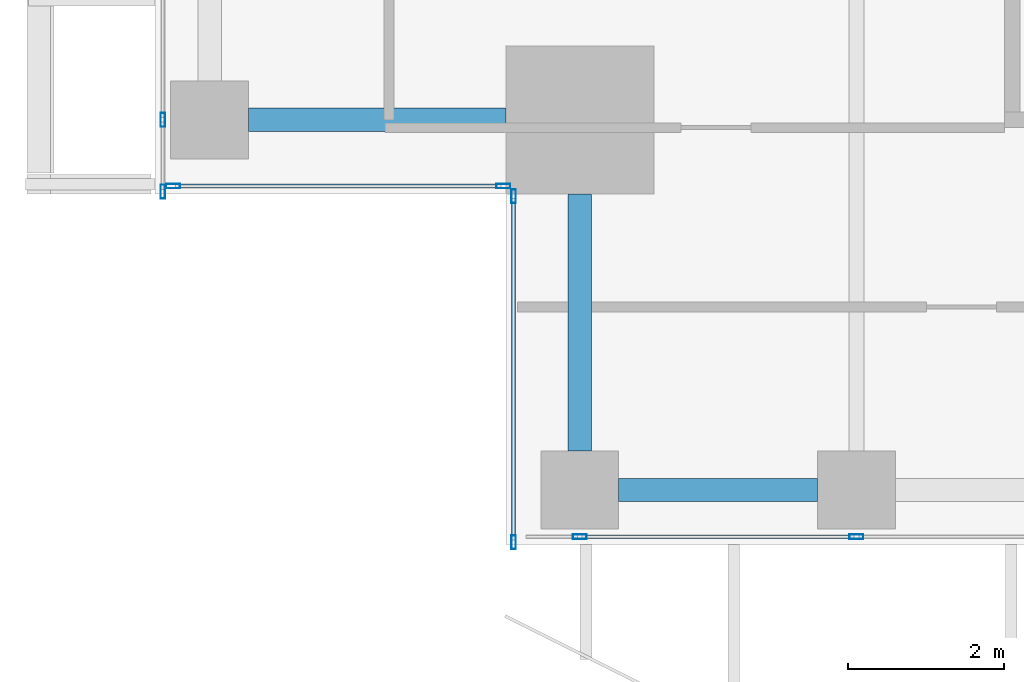
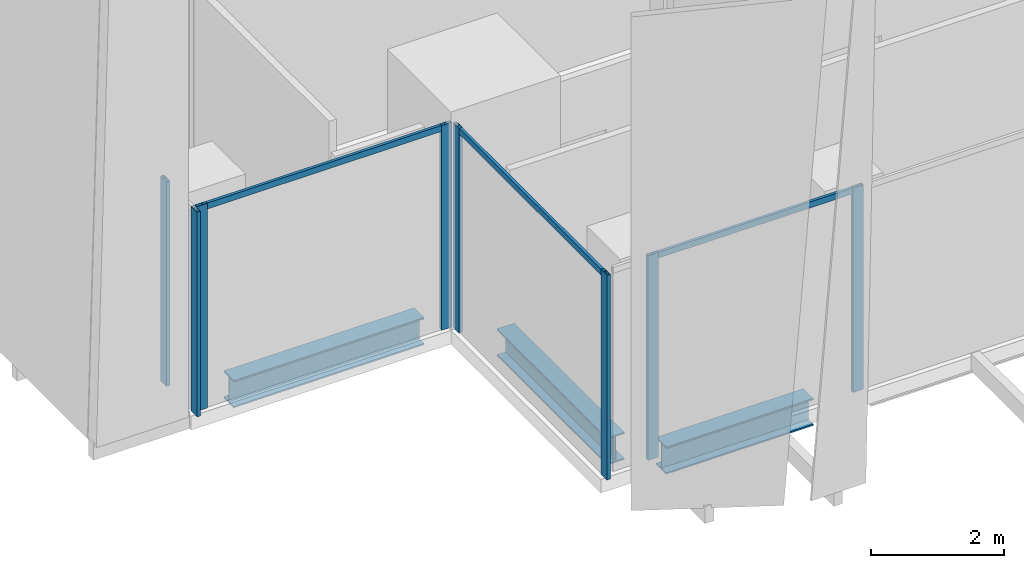
# One storey, part 2 of 35: 11 members, 3 beams, 4 elements without a shape of their own.
"""IFC4 building model written with IfcOpenShell, lengths in metres."""

import ifcopenshell
import ifcopenshell.guid

model = None  # the IFC model being written
_history = None  # IfcOwnerHistory: only IFC2X3 demands one
_inside = {}  # id of a spatial element -> (the spatial element, [elements in it])
_under = {}  # id of a project, library or spatial element -> (it, [spatial elements below it])
_declared = {}  # id of a project -> (the project, [libraries it declares])
_typed = {}  # id of a type object -> (the type object, [elements of that type])
_made_of = {}  # id of a material, layer set ... -> (it, [elements and type objects made of it])


def new_model(schema):
    """Start an empty IFC model of exactly this schema.

    Asked for "IFC4X3", IfcOpenShell would pick the latest addendum, in which some entities
    have other attributes; the version numbers below select the first issue.
    IFC2X3 requires an IfcOwnerHistory on every rooted entity: one is made here for all.
    """
    global model, _history
    if schema == "IFC4X3":
        model = ifcopenshell.file(schema_version=(4, 3, 0, 0))
    else:
        model = ifcopenshell.file(schema=schema)
    _inside.clear()
    _under.clear()
    _declared.clear()
    _typed.clear()
    _made_of.clear()
    _history = None
    if model.schema == "IFC2X3":
        org = make("IfcOrganization", Name="unknown")
        user = make(
            "IfcPersonAndOrganization",
            ThePerson=make("IfcPerson", FamilyName="unknown"),
            TheOrganization=org,
        )
        app = make(
            "IfcApplication",
            ApplicationDeveloper=org,
            Version="unknown",
            ApplicationFullName="unknown",
            ApplicationIdentifier="unknown",
        )
        _history = make(
            "IfcOwnerHistory",
            OwningUser=user,
            OwningApplication=app,
            ChangeAction="ADDED",
            CreationDate=0,
        )
    return model


def make(cls, **values):
    """One entity of the class cls with the attributes given. An attribute that is None is left unset."""
    return model.create_entity(
        cls, **{name: value for name, value in values.items() if value is not None}
    )


def rooted(cls, **values):
    """An entity with a GlobalId (a new one), such as an element, a storey or a relation."""
    return make(cls, GlobalId=ifcopenshell.guid.new(), OwnerHistory=_history, **values)


def si_unit(unit_type, name, prefix=None):
    """IfcSIUnit, for example si_unit("LENGTHUNIT", "METRE", prefix="MILLI")."""
    return make("IfcSIUnit", UnitType=unit_type, Prefix=prefix, Name=name)


def assignment(units):
    """IfcUnitAssignment: the units of a project."""
    return None if units is None else make("IfcUnitAssignment", Units=units)


def point(xyz):
    """IfcCartesianPoint."""
    return None if xyz is None else make("IfcCartesianPoint", Coordinates=xyz)


def direction(xyz):
    """IfcDirection."""
    return None if xyz is None else make("IfcDirection", DirectionRatios=xyz)


def frame(location, z_axis=None, x_axis=None):
    """IfcAxis2Placement3D, a coordinate frame: its origin and axes. An axis left out is left unset."""
    return make(
        "IfcAxis2Placement3D",
        Location=point(location),
        Axis=direction(z_axis),
        RefDirection=direction(x_axis),
    )


def frame_2d(location, x_axis=None):
    """IfcAxis2Placement2D, a coordinate frame in the plane: its origin and x axis."""
    return make(
        "IfcAxis2Placement2D", Location=point(location), RefDirection=direction(x_axis)
    )


def origin():
    """The frame at (0, 0, 0) with its axes left unset."""
    return frame((0.0, 0.0, 0.0))


def origin_2d():
    """The frame at (0, 0) in the plane with its x axis left unset."""
    return frame_2d((0.0, 0.0))


def place(relative_to, where):
    """IfcLocalPlacement: puts the frame where relative to a parent placement (None: the world)."""
    return make(
        "IfcLocalPlacement", PlacementRelTo=relative_to, RelativePlacement=where
    )


def context(
    kind, dimensions, precision=None, world=None, true_north=None, identifier=None
):
    """IfcGeometricRepresentationContext, for example the 3D "Model" context."""
    return make(
        "IfcGeometricRepresentationContext",
        ContextIdentifier=identifier,
        ContextType=kind,
        CoordinateSpaceDimension=dimensions,
        Precision=precision,
        WorldCoordinateSystem=world,
        TrueNorth=true_north,
    )


def subcontext(parent, identifier, kind, view, scale=None):
    """IfcGeometricRepresentationSubContext, for example "Body" below "Model"."""
    return make(
        "IfcGeometricRepresentationSubContext",
        ContextIdentifier=identifier,
        ContextType=kind,
        ParentContext=parent,
        TargetScale=scale,
        TargetView=view,
    )


def project(units=None, contexts=None):
    """IfcProject with its units and contexts."""
    return rooted(
        "IfcProject",
        Name="project",
        RepresentationContexts=contexts,
        UnitsInContext=assignment(units),
    )


def spatial(cls, under=None, at=None, **own):
    """A site, building, storey or space (cls), placed at a placement, below another one or the project."""
    s = rooted(cls, ObjectPlacement=at, **own)
    if under is not None:
        _under.setdefault(under.id(), (under, []))[1].append(s)
    return s


def profile(cls, at=None, kind="AREA", **sizes):
    """A parametric profile (cls). Its sizes go by their IFC names, for example OverallWidth=200.0."""
    return make(cls, ProfileType=kind, Position=at, **sizes)


def hollow_rectangle(**sizes):
    """IfcRectangleHollowProfileDef."""
    return profile("IfcRectangleHollowProfileDef", **sizes)


def i_section(**sizes):
    """IfcIShapeProfileDef."""
    return profile("IfcIShapeProfileDef", **sizes)


def extrude(swept, where, along, depth):
    """IfcExtrudedAreaSolid: the profile swept, set in the frame where, extruded along a direction by depth."""
    return make(
        "IfcExtrudedAreaSolid",
        SweptArea=swept,
        Position=where,
        ExtrudedDirection=direction(along),
        Depth=depth,
    )


def shape(context_of_items, identifier, shape_type, items):
    """IfcShapeRepresentation: the items that make up one representation, for example the "Body"."""
    return make(
        "IfcShapeRepresentation",
        ContextOfItems=context_of_items,
        RepresentationIdentifier=identifier,
        RepresentationType=shape_type,
        Items=items,
    )


def source(mapping_origin, context_of_items, identifier, shape_type, items):
    """IfcRepresentationMap: a shape defined once, which mapped items show again and again."""
    return make(
        "IfcRepresentationMap",
        MappingOrigin=mapping_origin,
        MappedRepresentation=shape(context_of_items, identifier, shape_type, items),
    )


def transform(
    local_origin,
    x_axis=None,
    y_axis=None,
    z_axis=None,
    scale=None,
    scale2=None,
    scale3=None,
    uniform=True,
):
    """IfcCartesianTransformationOperator3D, or its non-uniform kind. x_axis, y_axis, z_axis: its Axis1, 2, 3."""
    if uniform:
        return make(
            "IfcCartesianTransformationOperator3D",
            Axis1=direction(x_axis),
            Axis2=direction(y_axis),
            LocalOrigin=point(local_origin),
            Scale=scale,
            Axis3=direction(z_axis),
        )
    return make(
        "IfcCartesianTransformationOperator3DnonUniform",
        Axis1=direction(x_axis),
        Axis2=direction(y_axis),
        LocalOrigin=point(local_origin),
        Scale=scale,
        Axis3=direction(z_axis),
        Scale2=scale2,
        Scale3=scale3,
    )


def mapped(mapping_source, mapping_target):
    """IfcMappedItem: shows the shape of a source again, moved by a transform."""
    return make(
        "IfcMappedItem", MappingSource=mapping_source, MappingTarget=mapping_target
    )


def material(Name=None, Category=None):
    """IfcMaterial."""
    return make("IfcMaterial", Name=Name, Category=Category)


def material_profile(
    of_material, cross_section, Name=None, Category=None, Priority=None
):
    """IfcMaterialProfile: a cross section and its material."""
    return make(
        "IfcMaterialProfile",
        Name=Name,
        Material=of_material,
        Profile=cross_section,
        Priority=Priority,
        Category=Category,
    )


def profile_set(profiles, Name=None, composite=None):
    """IfcMaterialProfileSet."""
    return make(
        "IfcMaterialProfileSet",
        Name=Name,
        MaterialProfiles=profiles,
        CompositeProfile=composite,
    )


def made_of(thing, what):
    """Note that an element or type object is made of a material, layer set ...; save() writes the relation."""
    if what is not None:
        _made_of.setdefault(what.id(), (what, []))[1].append(thing)
    return thing


def type_object(cls, material=None, **own):
    """A type object (cls), such as IfcWallType, which elements share."""
    return made_of(rooted(cls, **own), material)


def element(
    cls,
    number,
    at=None,
    inside=None,
    cuts=None,
    type_object=None,
    material=None,
    context=None,
    identifier="Body",
    shape_type=None,
    held_by="IfcProductDefinitionShape",
    body=None,
    shapes=None,
    **own,
):
    """One element of the class cls, such as IfcWall. Its Tag is "e" and its number.

    at: its placement. inside: the storey or other place that contains it. cuts: it is an
    opening in that element (IfcRelVoidsElement). A single representation is given by context,
    identifier, shape_type and body (its items); several are given by shapes. held_by: the class
    of the entity that holds the representations. save() writes the other relations.
    """
    e = rooted(cls, Tag="e%d" % number, ObjectPlacement=at, **own)
    if body is not None:
        shapes = [shape(context, identifier, shape_type, body)]
    if shapes is not None:
        e.Representation = make(held_by, Representations=shapes)
    if inside is not None:
        _inside.setdefault(inside.id(), (inside, []))[1].append(e)
    if cuts is not None:
        rooted(
            "IfcRelVoidsElement", RelatingBuildingElement=cuts, RelatedOpeningElement=e
        )
    if type_object is not None:
        _typed.setdefault(type_object.id(), (type_object, []))[1].append(e)
    return made_of(e, material)


def aggregate(whole, parts):
    """IfcRelAggregates: a whole, such as a stair, and the parts it consists of."""
    return rooted("IfcRelAggregates", RelatingObject=whole, RelatedObjects=parts)


def save(model, path):
    """Write the relations noted so far, then the file.

    IfcRelAggregates (storeys below a building ...), IfcRelContainedInSpatialStructure (elements
    in a storey), IfcRelDefinesByType, IfcRelAssociatesMaterial and IfcRelDeclares: one each for
    every whole, place, type object, material and project.
    """
    for whole, parts in _under.values():
        aggregate(whole, parts)
    for where, things in _inside.values():
        rooted(
            "IfcRelContainedInSpatialStructure",
            RelatedElements=things,
            RelatingStructure=where,
        )
    for kind, things in _typed.values():
        rooted("IfcRelDefinesByType", RelatedObjects=things, RelatingType=kind)
    for what, things in _made_of.values():
        rooted("IfcRelAssociatesMaterial", RelatedObjects=things, RelatingMaterial=what)
    for by, libraries in _declared.values():
        rooted("IfcRelDeclares", RelatingContext=by, RelatedDefinitions=libraries)
    model.write(path)


model = new_model("IFC4")

# Units and contexts
model_context = context("Model", 3, precision=1e-05, world=origin(), true_north=direction((0.0, 1.0)))
body_context = subcontext(model_context, "Body", "Model", "MODEL_VIEW")
ifc_project = project(units=[si_unit("LENGTHUNIT", "METRE"), si_unit("AREAUNIT", "SQUARE_METRE"), si_unit("VOLUMEUNIT", "CUBIC_METRE"), si_unit("PLANEANGLEUNIT", "RADIAN"), si_unit("MASSUNIT", "GRAM", prefix="KILO")], contexts=[model_context])

# Site, building, storey
site_placement = place(None, origin())
site = spatial("IfcSite", under=ifc_project, at=site_placement, CompositionType="ELEMENT")
building_placement = place(site_placement, origin())
building = spatial("IfcBuilding", under=site, at=building_placement, Name="Khomas Fold Tower", CompositionType="ELEMENT")
storey_placement = place(building_placement, frame((0.0, 0.0, 200.699951171875)))
storey = spatial("IfcBuildingStorey", under=building, at=storey_placement, Name="L44", CompositionType="ELEMENT", Elevation=200.699951171875)

# Beams
ifc_material_1 = material(Name="Steel S355", Category="steel")
ifc_material_profile_1 = material_profile(ifc_material_1, i_section(OverallWidth=0.300048828125, OverallDepth=0.5, WebThickness=0.014404296875, FlangeThickness=0.028076171875, at=origin_2d()), Name="HE 500 B")
ifc_profile_set_1 = profile_set([ifc_material_profile_1], Name="Steel S355")
beam_type = type_object("IfcBeamType", Name="HE 500 B spandrel SB3", PredefinedType="SPANDREL", material=ifc_profile_set_1)
shared_shape_1 = source(origin(), body_context, "Body", "SweptSolid", [
    extrude(i_section(OverallWidth=0.300048828125, OverallDepth=0.5, WebThickness=0.014404296875, FlangeThickness=0.028076171875, at=origin_2d()), origin(), (0.0, 0.0, 1.0), 2.550048828125),
])
beam_placement = place(storey_placement, frame((8.949951171875, 3.699951171875, -0.5), z_axis=(1.0, 0.0, 0.0), x_axis=(0.0, 1.0, 0.0)))
element("IfcBeam", 1, at=beam_placement, inside=storey, type_object=beam_type, Name="SB3", PredefinedType="SPANDREL", context=body_context, shape_type="MappedRepresentation", body=[
    mapped(shared_shape_1, transform((0.0, 0.0, 0.0))),
])
shared_shape_2 = source(origin(), body_context, "Body", "SweptSolid", [
    extrude(i_section(OverallWidth=0.300048828125, OverallDepth=0.5, WebThickness=0.014404296875, FlangeThickness=0.028076171875, at=origin_2d()), origin(), (0.0, 0.0, 1.0), 3.300048828125),
])
for number, where, z_axis, x_axis, name in (
    (2, (4.199951171875, 8.449951171875, -0.5), (1.0, 0.0, 0.0), (0.0, 1.0, 0.0), "SB3"),
    (3, (8.449951171875, 4.199951171875, -0.5), (0.0, 1.0, 0.0), (-1.0, 0.0, 0.0), "SB3"),
):
    element("IfcBeam", number, at=place(storey_placement, frame(where, z_axis=z_axis, x_axis=x_axis)), inside=storey, type_object=beam_type, Name=name, PredefinedType="SPANDREL", context=body_context, shape_type="MappedRepresentation", body=[
        mapped(shared_shape_2, transform((0.0, 0.0, 0.0))),
    ])

# Curtain wall, members
ifc_material_2 = material(Name="Aluminium framed double glazing", Category="aluminium")
curtain_wall_type = type_object("IfcCurtainWallType", Name="SK-Unitised clear-glass wall, office floors CW2", PredefinedType="NOTDEFINED", material=ifc_material_2)
curtain_wall_1_placement = place(storey_placement, origin())
curtain_wall_1 = element("IfcCurtainWall", 4, at=curtain_wall_1_placement, inside=storey, type_object=curtain_wall_type, Name="CW2 run L44 00-0", PredefinedType="NOTDEFINED")
ifc_material_3 = material(Name="Aluminium", Category="aluminium")
ifc_material_profile_2 = material_profile(ifc_material_3, hollow_rectangle(XDim=0.06005859375, YDim=0.179931640625, WallThickness=0.00390625, at=origin_2d()), Name="SK-Unitised clear-glass wall, office floors mullion CW2-M")
ifc_profile_set_2 = profile_set([ifc_material_profile_2], Name="Aluminium")
member_type_1 = type_object("IfcMemberType", Name="SK-Unitised clear-glass wall, office floors mullion CW2-M", PredefinedType="MULLION", material=ifc_profile_set_2)
shared_shape_3 = source(origin(), body_context, "Body", "SweptSolid", [
    extrude(hollow_rectangle(XDim=0.06005859375, YDim=0.179931640625, WallThickness=0.00390625, at=origin_2d()), origin(), (0.0, 0.0, 1.0), 3.75),
])
member_1_placement = place(storey_placement, frame((8.449951171875, 3.10009765625, 0.0), z_axis=(0.0, 0.0, 1.0), x_axis=(0.0, 1.0, 0.0)))
member_1 = element("IfcMember", 5, at=member_1_placement, type_object=member_type_1, Name="CW2 mullion 2", PredefinedType="MULLION", context=body_context, shape_type="MappedRepresentation", body=[
    mapped(shared_shape_3, transform((0.0, 0.0, 0.0))),
])
member_2_placement = place(storey_placement, frame((12.0, 3.10009765625, 0.0), z_axis=(0.0, 0.0, 1.0), x_axis=(0.0, 1.0, 0.0)))
member_2 = element("IfcMember", 6, at=member_2_placement, type_object=member_type_1, Name="CW2 mullion 3", PredefinedType="MULLION", context=body_context, shape_type="MappedRepresentation", body=[
    mapped(shared_shape_3, transform((0.0, 0.0, 0.0))),
])

curtain_wall_2_placement = place(storey_placement, origin())
curtain_wall_2 = element("IfcCurtainWall", 7, at=curtain_wall_2_placement, inside=storey, type_object=curtain_wall_type, Name="CW2 run L44 09-0", PredefinedType="NOTDEFINED")
member_3_placement = place(storey_placement, frame((3.10009765625, 8.449951171875, 0.0), z_axis=(0.0, 0.0, 1.0), x_axis=(1.0, 0.0, 0.0)))
member_3 = element("IfcMember", 8, at=member_3_placement, type_object=member_type_1, Name="CW2 mullion 8", PredefinedType="MULLION", context=body_context, shape_type="MappedRepresentation", body=[
    mapped(shared_shape_3, transform((0.0, 0.0, 0.0))),
])
member_4_placement = place(storey_placement, frame((3.10009765625, 7.530029296875, 0.0), z_axis=(0.0, 0.0, 1.0), x_axis=(1.0, 0.0, 0.0)))
member_4 = element("IfcMember", 9, at=member_4_placement, type_object=member_type_1, Name="CW2 mullion 9", PredefinedType="MULLION", context=body_context, shape_type="MappedRepresentation", body=[
    mapped(shared_shape_3, transform((0.0, 0.0, 0.0))),
])
aggregate(curtain_wall_2, [member_3, member_4])

curtain_wall_3_placement = place(storey_placement, origin())
curtain_wall_3 = element("IfcCurtainWall", 10, at=curtain_wall_3_placement, inside=storey, type_object=curtain_wall_type, Name="CW2 corner return L44 10", PredefinedType="NOTDEFINED")
member_5_placement = place(storey_placement, frame((3.22998046875, 7.60009765625, 0.0), z_axis=(0.0, 0.0, 1.0), x_axis=(0.0, 1.0, 0.0)))
member_5 = element("IfcMember", 11, at=member_5_placement, type_object=member_type_1, Name="CW2 mullion 1", PredefinedType="MULLION", context=body_context, shape_type="MappedRepresentation", body=[
    mapped(shared_shape_3, transform((0.0, 0.0, 0.0))),
])
member_6_placement = place(storey_placement, frame((7.469970703125, 7.60009765625, 0.0), z_axis=(0.0, 0.0, 1.0), x_axis=(0.0, 1.0, 0.0)))
member_6 = element("IfcMember", 12, at=member_6_placement, type_object=member_type_1, Name="CW2 mullion 2", PredefinedType="MULLION", context=body_context, shape_type="MappedRepresentation", body=[
    mapped(shared_shape_3, transform((0.0, 0.0, 0.0))),
])

curtain_wall_4_placement = place(storey_placement, origin())
curtain_wall_4 = element("IfcCurtainWall", 13, at=curtain_wall_4_placement, inside=storey, type_object=curtain_wall_type, Name="CW2 corner return L44 11", PredefinedType="NOTDEFINED")
member_7_placement = place(storey_placement, frame((7.60009765625, 7.469970703125, 0.0), z_axis=(0.0, 0.0, 1.0), x_axis=(1.0, 0.0, 0.0)))
member_7 = element("IfcMember", 14, at=member_7_placement, type_object=member_type_1, Name="CW2 mullion 1", PredefinedType="MULLION", context=body_context, shape_type="MappedRepresentation", body=[
    mapped(shared_shape_3, transform((0.0, 0.0, 0.0))),
])
member_8_placement = place(storey_placement, frame((7.60009765625, 3.030029296875, 0.0), z_axis=(0.0, 0.0, 1.0), x_axis=(1.0, 0.0, 0.0)))
member_8 = element("IfcMember", 15, at=member_8_placement, type_object=member_type_1, Name="CW2 mullion 2", PredefinedType="MULLION", context=body_context, shape_type="MappedRepresentation", body=[
    mapped(shared_shape_3, transform((0.0, 0.0, 0.0))),
])
ifc_material_4 = material(Name="Aluminium", Category="aluminium")
ifc_material_profile_3 = material_profile(ifc_material_4, hollow_rectangle(XDim=0.050048828125, YDim=0.110107421875, WallThickness=0.00390625, at=origin_2d()), Name="SK-Unitised clear-glass wall, office floors transom CW2-T")
ifc_profile_set_3 = profile_set([ifc_material_profile_3], Name="Aluminium")
member_type_2 = type_object("IfcMemberType", Name="SK-Unitised clear-glass wall, office floors transom CW2-T", PredefinedType="USERDEFINED", material=ifc_profile_set_3)
shared_shape_4 = source(origin(), body_context, "Body", "SweptSolid", [
    extrude(hollow_rectangle(XDim=0.050048828125, YDim=0.110107421875, WallThickness=0.00390625, at=origin_2d()), origin(), (0.0, 0.0, 1.0), 4.3798828125),
])
member_9_placement = place(storey_placement, frame((7.60009765625, 7.43994140625, 3.695068359375), z_axis=(0.0, -1.0, 0.0), x_axis=(1.0, 0.0, 0.0)))
member_9 = element("IfcMember", 16, at=member_9_placement, type_object=member_type_2, Name="CW2 transom 1", ObjectType="TRANSOM", PredefinedType="USERDEFINED", context=body_context, shape_type="MappedRepresentation", body=[
    mapped(shared_shape_4, transform((0.0, 0.0, 0.0))),
])
aggregate(curtain_wall_4, [member_7, member_8, member_9])

# Member
shared_shape_5 = source(origin(), body_context, "Body", "SweptSolid", [
    extrude(hollow_rectangle(XDim=0.050048828125, YDim=0.110107421875, WallThickness=0.00390625, at=origin_2d()), origin(), (0.0, 0.0, 1.0), 3.489990234375),
])
member_10_placement = place(storey_placement, frame((8.47998046875, 3.10009765625, 3.695068359375), z_axis=(1.0, 0.0, 0.0), x_axis=(0.0, 1.0, 0.0)))
member_10 = element("IfcMember", 17, at=member_10_placement, type_object=member_type_2, Name="CW2 transom 2", ObjectType="TRANSOM", PredefinedType="USERDEFINED", context=body_context, shape_type="MappedRepresentation", body=[
    mapped(shared_shape_5, transform((0.0, 0.0, 0.0))),
])

aggregate(curtain_wall_1, [member_1, member_2, member_10])

shared_shape_6 = source(origin(), body_context, "Body", "SweptSolid", [
    extrude(hollow_rectangle(XDim=0.050048828125, YDim=0.110107421875, WallThickness=0.00390625, at=origin_2d()), origin(), (0.0, 0.0, 1.0), 4.179931640625),
])
member_11_placement = place(storey_placement, frame((3.260009765625, 7.60009765625, 3.695068359375), z_axis=(1.0, 0.0, 0.0), x_axis=(0.0, 1.0, 0.0)))
member_11 = element("IfcMember", 18, at=member_11_placement, type_object=member_type_2, Name="CW2 transom 1", ObjectType="TRANSOM", PredefinedType="USERDEFINED", context=body_context, shape_type="MappedRepresentation", body=[
    mapped(shared_shape_6, transform((0.0, 0.0, 0.0))),
])

aggregate(curtain_wall_3, [member_5, member_6, member_11])

save(model, "model.ifc")
